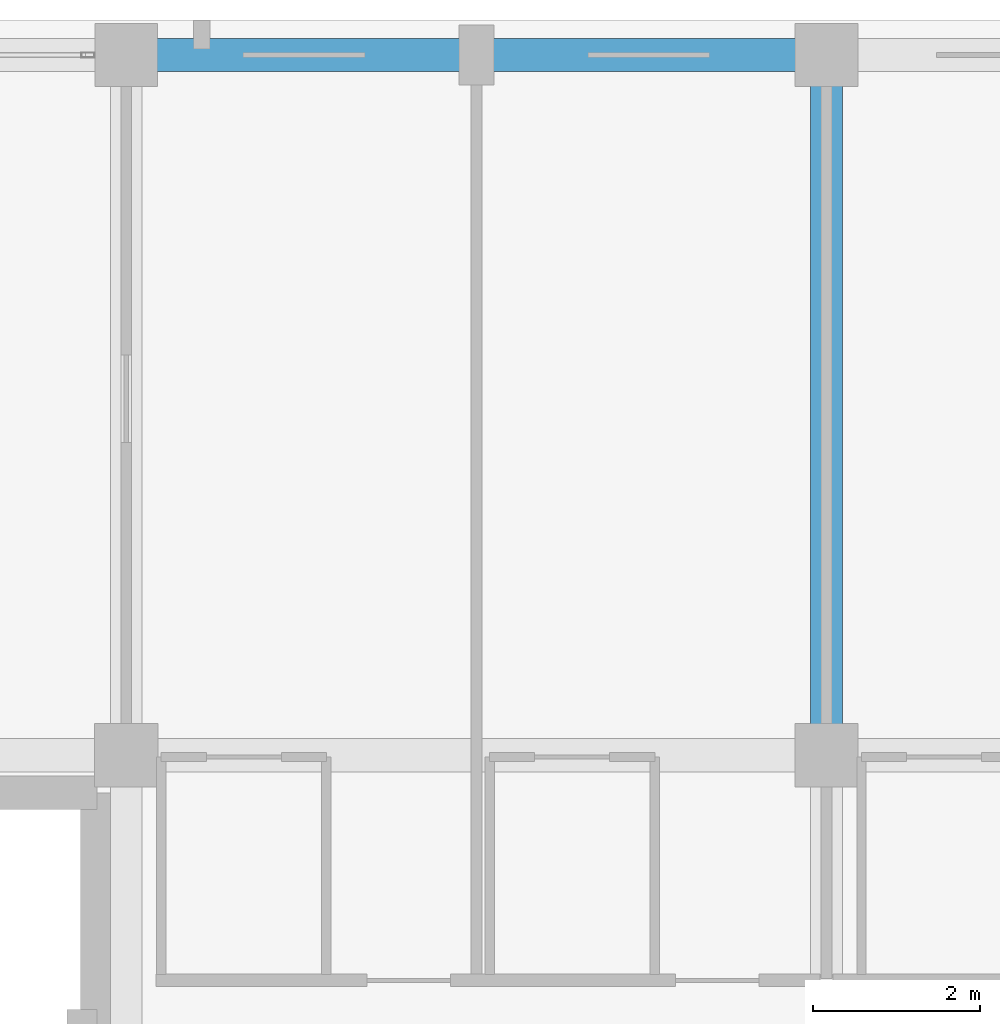
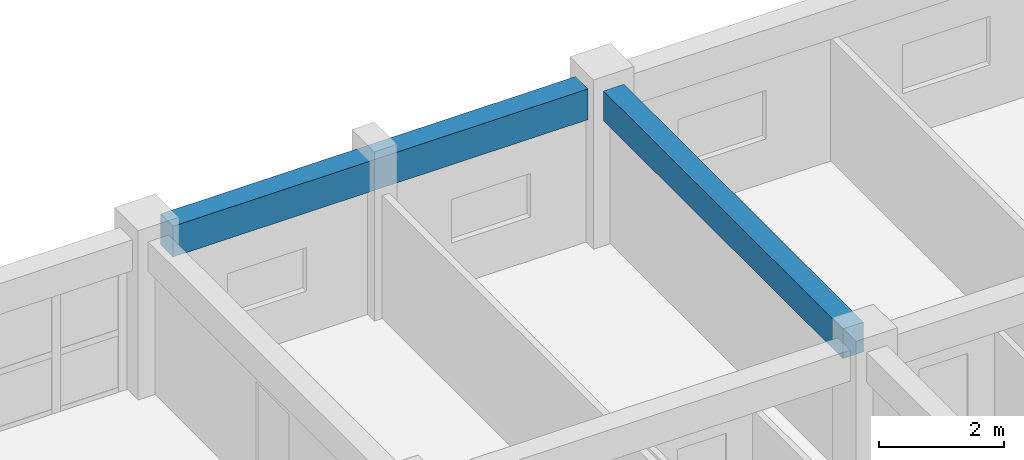
# One storey, part 91 of 200: 2 beams.
"""IFC4 building model written with IfcOpenShell, lengths in metres."""

from ifc_helpers import new_model, si_unit, direction, frame, origin, origin_2d, place, context, subcontext, project, spatial, rectangle, extrude, material, material_profile, profile_set, type_object, element, save


model = new_model("IFC4")

# Units and contexts
model_context = context("Model", 3, precision=1e-05, world=origin(), true_north=direction((0.0, 1.0)))
body_context = subcontext(model_context, "Body", "Model", "MODEL_VIEW")
ifc_project = project(units=[si_unit("LENGTHUNIT", "METRE"), si_unit("AREAUNIT", "SQUARE_METRE"), si_unit("VOLUMEUNIT", "CUBIC_METRE"), si_unit("PLANEANGLEUNIT", "RADIAN"), si_unit("MASSUNIT", "GRAM", prefix="KILO")], contexts=[model_context])

# Site, building, storey
site_placement = place(None, origin())
site = spatial("IfcSite", under=ifc_project, at=site_placement, CompositionType="ELEMENT")
building_placement = place(site_placement, origin())
building = spatial("IfcBuilding", under=site, at=building_placement, Name="Trelvath General Hospital", CompositionType="ELEMENT")
storey_placement = place(building_placement, frame((0.0, 0.0, 4.800048828125)))
storey = spatial("IfcBuildingStorey", under=building, at=storey_placement, Name="L01", CompositionType="ELEMENT", Elevation=4.800048828125)

# Beams
ifc_material_1 = material(Name="Concrete C35/45", Category="concrete")
ifc_material_profile_1 = material_profile(ifc_material_1, rectangle(XDim=0.3798828125, YDim=0.580078125, at=origin_2d()), Name="RCB380x580")
ifc_profile_set_1 = profile_set([ifc_material_profile_1], Name="Concrete C35/45")
beam_type_1 = type_object("IfcBeamType", Name="Beam RC380x580", PredefinedType="BEAM", material=ifc_profile_set_1)
beam_1_placement = place(storey_placement, frame((58.800048828125, 109.574951171875, 2.72998046875), z_axis=(0.0, 1.0, 0.0), x_axis=(-1.0, 0.0, 0.0)))
element("IfcBeam", 1, at=beam_1_placement, inside=storey, type_object=beam_type_1, Name="Grid Beam BY-107N", PredefinedType="BEAM", context=body_context, shape_type="SweptSolid", body=[
    extrude(rectangle(XDim=0.3798828125, YDim=0.580078125, at=origin_2d()), origin(), (0.0, 0.0, 1.0), 7.655029296875),
])
ifc_material_2 = material(Name="Concrete C35/45", Category="concrete")
ifc_material_profile_2 = material_profile(ifc_material_2, rectangle(XDim=0.39990234375, YDim=0.60009765625, at=origin_2d()), Name="RCB400x600")
ifc_profile_set_2 = profile_set([ifc_material_profile_2], Name="Concrete C35/45")
beam_type_2 = type_object("IfcBeamType", Name="Beam RC400x600", PredefinedType="BEAM", material=ifc_profile_set_2)
beam_2_placement = place(storey_placement, frame((50.77001953125, 117.60009765625, 2.719970703125), z_axis=(1.0, 0.0, 0.0), x_axis=(0.0, 1.0, 0.0)))
element("IfcBeam", 2, at=beam_2_placement, inside=storey, type_object=beam_type_2, Name="Grid Beam BX-106O", PredefinedType="BEAM", context=body_context, shape_type="SweptSolid", body=[
    extrude(rectangle(XDim=0.39990234375, YDim=0.60009765625, at=origin_2d()), origin(), (0.0, 0.0, 1.0), 7.659912109375),
])

save(model, "model.ifc")
